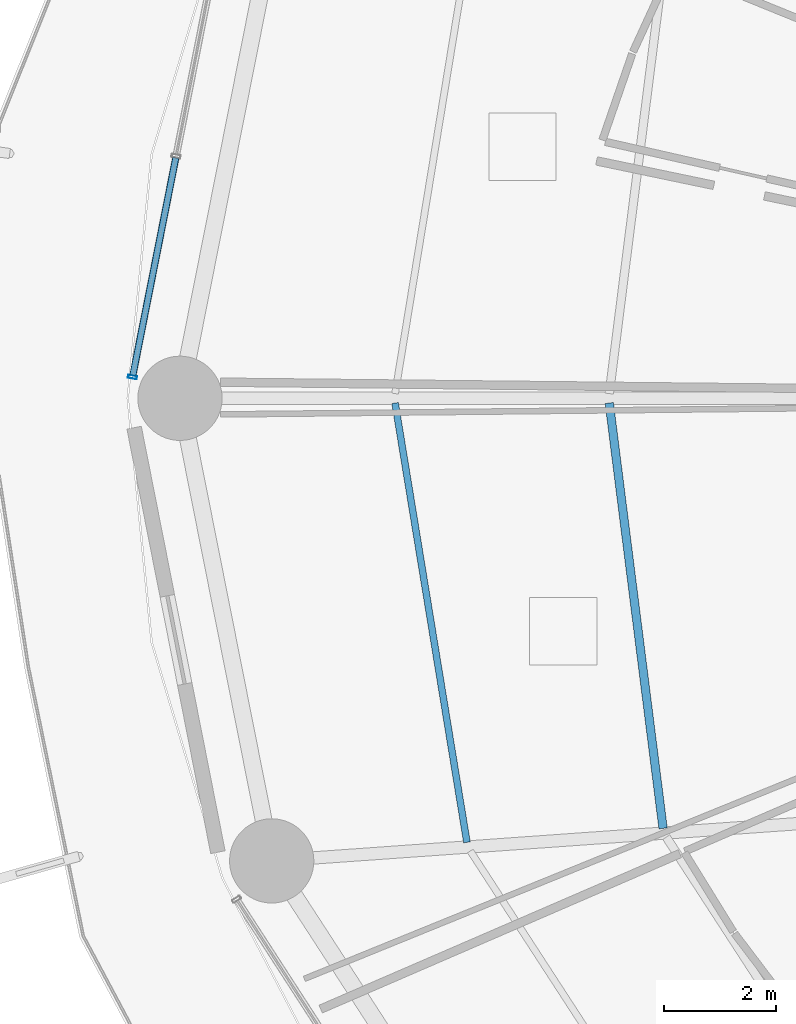
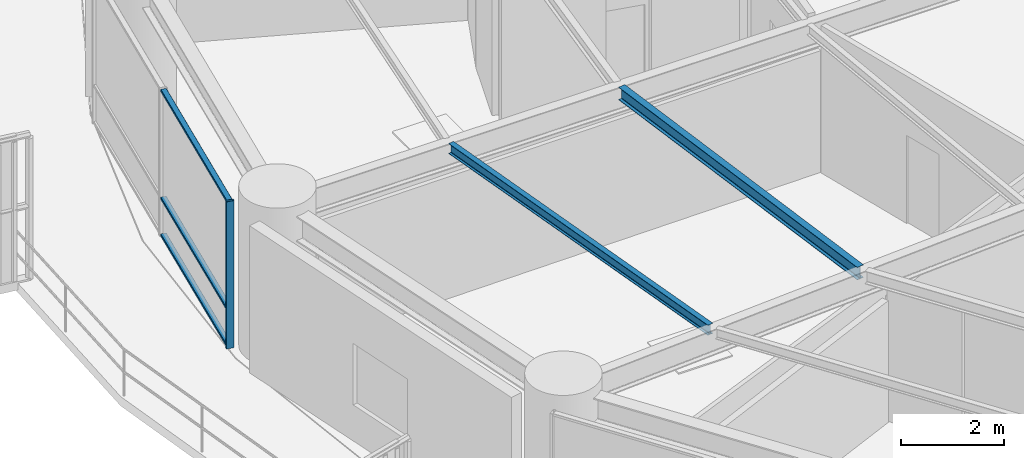
# One storey, part 6 of 33: 4 members, 2 beams, 1 element without a shape of its own.
"""IFC4 building model written with IfcOpenShell, lengths in metres."""

from ifc_helpers import new_model, si_unit, direction, frame, origin, origin_2d, place, context, subcontext, project, spatial, hollow_rectangle, i_section, extrude, material, layer, layer_set, material_profile, profile_set, type_object, element, aggregate, save


model = new_model("IFC4")

# Units and contexts
model_context = context("Model", 3, precision=1e-05, world=origin(), true_north=direction((0.0, 1.0)))
body_context = subcontext(model_context, "Body", "Model", "MODEL_VIEW")
ifc_project = project(units=[si_unit("LENGTHUNIT", "METRE"), si_unit("AREAUNIT", "SQUARE_METRE"), si_unit("VOLUMEUNIT", "CUBIC_METRE"), si_unit("PLANEANGLEUNIT", "RADIAN"), si_unit("MASSUNIT", "GRAM", prefix="KILO")], contexts=[model_context])

# Site, building, storey
site_placement = place(None, origin())
site = spatial("IfcSite", under=ifc_project, at=site_placement, CompositionType="ELEMENT")
building_placement = place(site_placement, origin())
building = spatial("IfcBuilding", under=site, at=building_placement, Name="Kelanora Arch Commons", CompositionType="ELEMENT")
storey_placement = place(building_placement, frame((0.0, 0.0, 26.25)))
storey = spatial("IfcBuildingStorey", under=building, at=storey_placement, Name="L06", CompositionType="ELEMENT", Elevation=26.25)

# Beams
ifc_material_1 = material(Name="Steel S355", Category="steel")
ifc_material_profile_1 = material_profile(ifc_material_1, i_section(OverallWidth=0.14990234375, OverallDepth=0.300048828125, WebThickness=0.007080078125, FlangeThickness=0.0107421875, FilletRadius=0.014892578125, at=origin_2d()), Name="IPE300")
ifc_profile_set_1 = profile_set([ifc_material_profile_1], Name="Steel S355")
beam_type_1 = type_object("IfcBeamType", Name="BM-JST-01", PredefinedType="JOIST", material=ifc_profile_set_1)
beam_1_placement = place(storey_placement, frame((54.562744140625, 57.915771484375, 3.340087890625), z_axis=(0.125565841651, -0.992085288375, 0.0), x_axis=(0.992085288375, 0.125565841651, 0.0)))
element("IfcBeam", 1, at=beam_1_placement, inside=storey, type_object=beam_type_1, Name="Secondary Chord Joist BJB-18 L06", PredefinedType="JOIST", context=body_context, shape_type="SweptSolid", body=[
    extrude(i_section(OverallWidth=0.14990234375, OverallDepth=0.300048828125, WebThickness=0.007080078125, FlangeThickness=0.0107421875, FilletRadius=0.014892578125, at=origin_2d()), origin(), (0.0, 0.0, 1.0), 7.63330078125),
])
ifc_material_profile_2 = material_profile(ifc_material_1, i_section(OverallWidth=0.1201171875, OverallDepth=0.239990234375, WebThickness=0.006103515625, FlangeThickness=0.009765625, FilletRadius=0.014892578125, at=origin_2d()), Name="IPE240")
ifc_profile_set_2 = profile_set([ifc_material_profile_2], Name="Steel S355")
beam_type_2 = type_object("IfcBeamType", Name="BM-JST-02", PredefinedType="JOIST", material=ifc_profile_set_2)
beam_2_placement = place(storey_placement, frame((50.749755859375, 57.916015625, 3.3701171875), z_axis=(0.161400737199, -0.986888951216, 0.0), x_axis=(0.986888951216, 0.161400737199, 0.0)))
element("IfcBeam", 2, at=beam_2_placement, inside=storey, type_object=beam_type_2, Name="Secondary Chord Joist BJC-18 L06", PredefinedType="JOIST", context=body_context, shape_type="SweptSolid", body=[
    extrude(i_section(OverallWidth=0.1201171875, OverallDepth=0.239990234375, WebThickness=0.006103515625, FlangeThickness=0.009765625, FilletRadius=0.014892578125, at=origin_2d()), origin(), (0.0, 0.0, 1.0), 7.9248046875),
])

# Curtain wall, members
ifc_material_2 = material(Name="Terracotta ceramic-fritted low-E glass and aluminium", Category="masonry")
ifc_layer = layer(ifc_material_2, 0.159912109375)
ifc_layer_set = layer_set([ifc_layer], Name="Terracotta ceramic-fritted low-E glass and aluminium")
curtain_wall_type = type_object("IfcCurtainWallType", Name="CW-SYS-01", PredefinedType="NOTDEFINED", material=ifc_layer_set)
curtain_wall_placement = place(storey_placement, origin())
curtain_wall = element("IfcCurtainWall", 3, at=curtain_wall_placement, inside=storey, type_object=curtain_wall_type, Name="Unitised Curtain Wall L06-B08", PredefinedType="NOTDEFINED")
ifc_material_3 = material(Name="Powder-coated aluminium terracotta", Category="masonry")
ifc_material_profile_3 = material_profile(ifc_material_3, hollow_rectangle(XDim=0.159912109375, YDim=0.06005859375, WallThickness=0.0048828125, InnerFilletRadius=0.0048828125, OuterFilletRadius=0.010009765625, at=origin_2d()), Name="CWM160x60")
ifc_profile_set_3 = profile_set([ifc_material_profile_3], Name="Powder-coated aluminium terracotta")
member_type_1 = type_object("IfcMemberType", Name="CWM-STD", PredefinedType="MULLION", material=ifc_profile_set_3)
member_1_placement = place(storey_placement, frame((46.074951171875, 58.379150390625, 0.0), z_axis=(0.0, 0.0, 1.0), x_axis=(0.981052110579, -0.193744048498, 0.0)))
member_1 = element("IfcMember", 4, at=member_1_placement, type_object=member_type_1, Name="CW-01 mullion 3", PredefinedType="MULLION", context=body_context, shape_type="SweptSolid", body=[
    extrude(hollow_rectangle(XDim=0.159912109375, YDim=0.06005859375, WallThickness=0.0048828125, InnerFilletRadius=0.0048828125, OuterFilletRadius=0.010009765625, at=origin_2d()), origin(), (0.0, 0.0, 1.0), 3.47509765625),
])
ifc_material_profile_4 = material_profile(ifc_material_3, hollow_rectangle(XDim=0.1201171875, YDim=0.06005859375, WallThickness=0.0048828125, InnerFilletRadius=0.0048828125, OuterFilletRadius=0.010009765625, at=origin_2d()), Name="CWT120x60")
ifc_profile_set_4 = profile_set([ifc_material_profile_4], Name="Powder-coated aluminium terracotta")
member_type_2 = type_object("IfcMemberType", Name="CWT-STD", PredefinedType="USERDEFINED", material=ifc_profile_set_4)
member_2_placement = place(storey_placement, frame((46.845703125, 62.281982421875, 0.030029296875), z_axis=(-0.193725436624, -0.98105578598, 0.0), x_axis=(0.98105578598, -0.193725436624, 0.0)))
member_2 = element("IfcMember", 5, at=member_2_placement, type_object=member_type_2, Name="CW-01 transom 2.1", ObjectType="TRANSOM", PredefinedType="USERDEFINED", context=body_context, shape_type="SweptSolid", body=[
    extrude(hollow_rectangle(XDim=0.1201171875, YDim=0.06005859375, WallThickness=0.0048828125, InnerFilletRadius=0.0048828125, OuterFilletRadius=0.010009765625, at=origin_2d()), origin(), (0.0, 0.0, 1.0), 3.9482421875),
])
member_3_placement = place(storey_placement, frame((46.845703125, 62.281982421875, 0.89990234375), z_axis=(-0.193725436624, -0.98105578598, 0.0), x_axis=(0.98105578598, -0.193725436624, 0.0)))
member_3 = element("IfcMember", 6, at=member_3_placement, type_object=member_type_2, Name="CW-01 transom 2.2", ObjectType="TRANSOM", PredefinedType="USERDEFINED", context=body_context, shape_type="SweptSolid", body=[
    extrude(hollow_rectangle(XDim=0.1201171875, YDim=0.06005859375, WallThickness=0.0048828125, InnerFilletRadius=0.0048828125, OuterFilletRadius=0.010009765625, at=origin_2d()), origin(), (0.0, 0.0, 1.0), 3.9482421875),
])
member_4_placement = place(storey_placement, frame((46.845703125, 62.281982421875, 3.445068359375), z_axis=(-0.193725436624, -0.98105578598, 0.0), x_axis=(0.98105578598, -0.193725436624, 0.0)))
member_4 = element("IfcMember", 7, at=member_4_placement, type_object=member_type_2, Name="CW-01 transom 2.3", ObjectType="TRANSOM", PredefinedType="USERDEFINED", context=body_context, shape_type="SweptSolid", body=[
    extrude(hollow_rectangle(XDim=0.1201171875, YDim=0.06005859375, WallThickness=0.0048828125, InnerFilletRadius=0.0048828125, OuterFilletRadius=0.010009765625, at=origin_2d()), origin(), (0.0, 0.0, 1.0), 3.9482421875),
])
aggregate(curtain_wall, [member_1, member_2, member_3, member_4])

save(model, "model.ifc")
